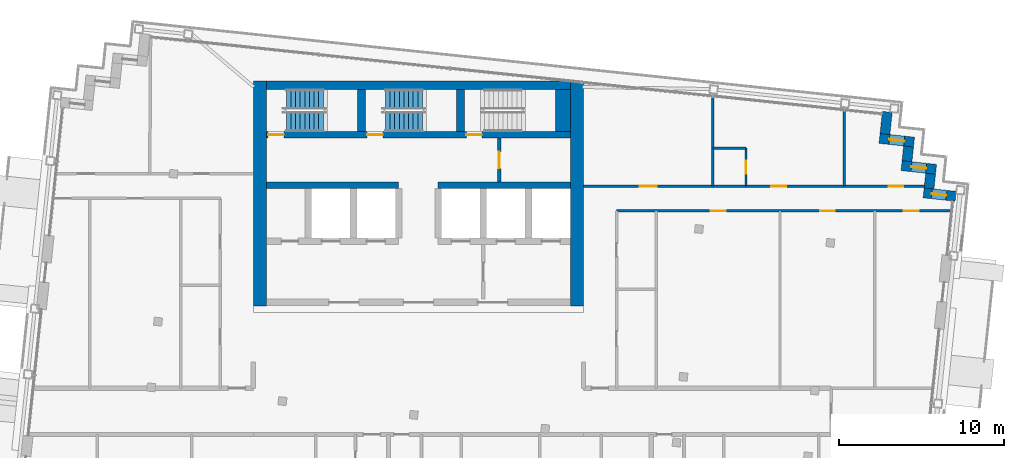
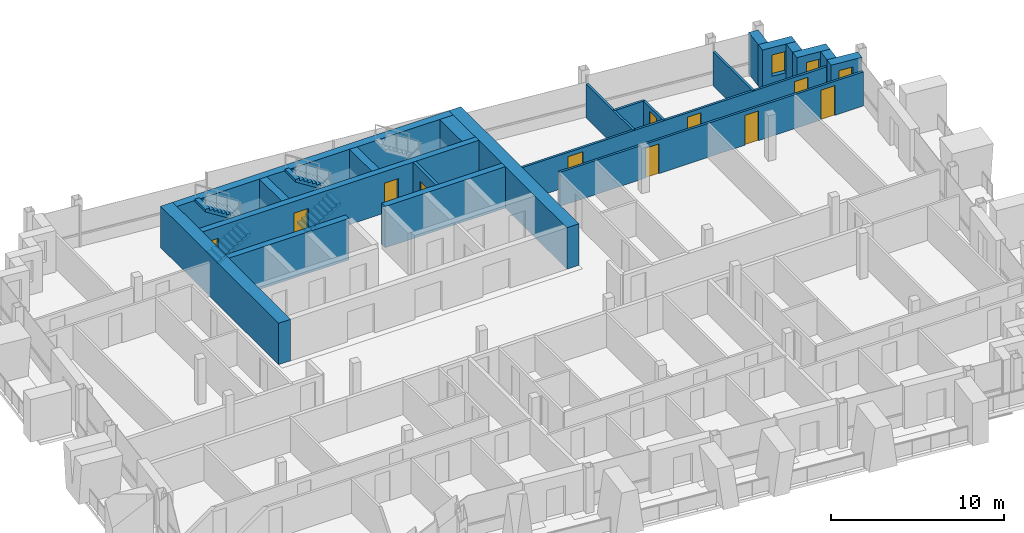
# One storey, part 12 of 17: 22 walls, 11 doors, 4 stair flights, 3 windows, 14 openings, 2 elements without a shape of their own.
"""IFC4 building model written with IfcOpenShell, lengths in metres."""

from ifc_helpers import new_model, si_unit, direction, frame, frame_2d, origin, place, context, subcontext, project, spatial, polyline, rectangle, outline, extrude, material, layer, layer_set, type_object, element, fill, aggregate, save


model = new_model("IFC4")

# Units and contexts
model_context = context("Model", 3, precision=1e-05, world=origin(), true_north=direction((0.0, 1.0)))
body_context = subcontext(model_context, "Body", "Model", "MODEL_VIEW")
ifc_project = project(units=[si_unit("LENGTHUNIT", "METRE"), si_unit("AREAUNIT", "SQUARE_METRE"), si_unit("VOLUMEUNIT", "CUBIC_METRE"), si_unit("PLANEANGLEUNIT", "RADIAN"), si_unit("MASSUNIT", "GRAM", prefix="KILO")], contexts=[model_context])

# Site, building, storey
site_placement = place(None, origin())
site = spatial("IfcSite", under=ifc_project, at=site_placement, CompositionType="ELEMENT")
building_placement = place(site_placement, origin())
building = spatial("IfcBuilding", under=site, at=building_placement, Name="Vidyagriha Tower", CompositionType="ELEMENT")
storey_placement = place(building_placement, frame((0.0, 0.0, 265.89990234375)))
storey = spatial("IfcBuildingStorey", under=building, at=storey_placement, Name="L69", CompositionType="ELEMENT", Elevation=265.89990234375)

# Wall, opening, window
ifc_material_1 = material(Name="Precast concrete C40/50 with brick facing", Category="concrete")
ifc_layer_1 = layer(ifc_material_1, 0.60009765625)
ifc_layer_set_1 = layer_set([ifc_layer_1], Name="Precast concrete C40/50 with brick facing")
wall_type_1 = type_object("IfcWallType", Name="Brick-faced precast wall 600", PredefinedType="STANDARD", material=ifc_layer_set_1)
wall_1_placement = place(storey_placement, frame((32.536376953125, 13.03125, 0.0), z_axis=(0.0, 0.0, 1.0), x_axis=(-0.994534226826, 0.104411070641, 0.0)))
wall_1 = element("IfcWall", 1, at=wall_1_placement, inside=storey, type_object=wall_type_1, Name="Stepped corner wall L69 R01", PredefinedType="STANDARD", context=body_context, shape_type="SweptSolid", body=[
    extrude(rectangle(XDim=1.9501953125, YDim=0.60009765625, at=frame_2d((0.97509765625, 0.0))), origin(), (0.0, 0.0, 1.0), 2.920166015625),
])
opening_1_placement = place(wall_1_placement, frame((0.559814453125, 0.0, 0.89990234375)))
opening_1 = element("IfcOpeningElement", 2, at=opening_1_placement, cuts=wall_1, Name="Opening WN1", PredefinedType="OPENING", context=body_context, shape_type="SweptSolid", body=[
    extrude(rectangle(XDim=0.89990234375, YDim=1.5, at=frame_2d((0.449951171875, 0.75))), frame((0.0, 0.31005859375, 0.0), z_axis=(0.0, -1.0, 0.0), x_axis=(1.0, 0.0, 0.0)), (0.0, 0.0, 1.0), 0.6201171875),
])
ifc_material_2 = material(Name="Aluminium and glass window", Category="aluminium")
window_type = type_object("IfcWindowType", Name="Reveal window 900x1500", PartitioningType="NOTDEFINED", PredefinedType="WINDOW", material=ifc_material_2)
window_1_placement = place(opening_1_placement, origin())
window_1 = element("IfcWindow", 3, at=window_1_placement, inside=storey, type_object=window_type, Name="Reveal window L69 R01", OverallHeight=1.5, OverallWidth=0.89990234375, PartitioningType="SINGLE_PANEL", PredefinedType="WINDOW", context=body_context, shape_type="SweptSolid", body=[
    extrude(rectangle(XDim=0.89990234375, YDim=1.5, at=frame_2d((0.449951171875, 0.75))), frame((0.0, 0.030029296875, 0.0), z_axis=(0.0, -1.0, 0.0), x_axis=(1.0, 0.0, 0.0)), (0.0, 0.0, 1.0), 0.06005859375),
])
fill(opening_1, window_1)

# Wall
wall_2_placement = place(storey_placement, frame((30.9267578125, 13.501953125, 0.0), z_axis=(0.0, 0.0, 1.0), x_axis=(0.104416541099, 0.994533652495, 0.0)))
element("IfcWall", 4, at=wall_2_placement, inside=storey, type_object=wall_type_1, Name="Stepped corner wall L69 R02", PredefinedType="STANDARD", context=body_context, shape_type="SweptSolid", body=[
    extrude(rectangle(XDim=0.900146484375, YDim=0.60009765625, at=frame_2d((0.4501953125, 0.0))), origin(), (0.0, 0.0, 1.0), 2.920166015625),
])

# Wall, opening, window
wall_3_placement = place(storey_placement, frame((31.3505859375, 14.6640625, 0.0), z_axis=(0.0, 0.0, 1.0), x_axis=(-0.994523910136, 0.104509292252, 0.0)))
wall_3 = element("IfcWall", 5, at=wall_3_placement, inside=storey, type_object=wall_type_1, Name="Stepped corner wall L69 R03", PredefinedType="STANDARD", context=body_context, shape_type="SweptSolid", body=[
    extrude(rectangle(XDim=2.10009765625, YDim=0.60009765625, at=frame_2d((1.050048828125, 0.0))), origin(), (0.0, 0.0, 1.0), 2.920166015625),
])
opening_2_placement = place(wall_3_placement, frame((0.60009765625, 0.0, 0.89990234375)))
opening_2 = element("IfcOpeningElement", 6, at=opening_2_placement, cuts=wall_3, Name="Opening WN1", PredefinedType="OPENING", context=body_context, shape_type="SweptSolid", body=[
    extrude(rectangle(XDim=0.89990234375, YDim=1.5, at=frame_2d((0.449951171875, 0.75))), frame((0.0, 0.31005859375, 0.0), z_axis=(0.0, -1.0, 0.0), x_axis=(1.0, 0.0, 0.0)), (0.0, 0.0, 1.0), 0.6201171875),
])
window_2_placement = place(opening_2_placement, origin())
window_2 = element("IfcWindow", 7, at=window_2_placement, inside=storey, type_object=window_type, Name="Reveal window L69 R03", OverallHeight=1.5, OverallWidth=0.89990234375, PartitioningType="SINGLE_PANEL", PredefinedType="WINDOW", context=body_context, shape_type="SweptSolid", body=[
    extrude(rectangle(XDim=0.89990234375, YDim=1.5, at=frame_2d((0.449951171875, 0.75))), frame((0.0, 0.030029296875, 0.0), z_axis=(0.0, -1.0, 0.0), x_axis=(1.0, 0.0, 0.0)), (0.0, 0.0, 1.0), 0.06005859375),
])
fill(opening_2, window_2)

# Wall
wall_4_placement = place(storey_placement, frame((29.591796875, 15.150634765625, 0.0), z_axis=(0.0, 0.0, 1.0), x_axis=(0.104444712852, 0.994530694326, 0.0)))
element("IfcWall", 8, at=wall_4_placement, inside=storey, type_object=wall_type_1, Name="Stepped corner wall L69 R04", PredefinedType="STANDARD", context=body_context, shape_type="SweptSolid", body=[
    extrude(rectangle(XDim=0.89990234375, YDim=0.60009765625, at=frame_2d((0.449951171875, 0.0))), origin(), (0.0, 0.0, 1.0), 2.920166015625),
])

# Wall, opening, window
wall_5_placement = place(storey_placement, frame((30.015380859375, 16.3125, 0.0), z_axis=(0.0, 0.0, 1.0), x_axis=(-0.994510548187, 0.104636368175, 0.0)))
wall_5 = element("IfcWall", 9, at=wall_5_placement, inside=storey, type_object=wall_type_1, Name="Stepped corner wall L69 R05", PredefinedType="STANDARD", context=body_context, shape_type="SweptSolid", body=[
    extrude(rectangle(XDim=2.099853515625, YDim=0.60009765625, at=frame_2d((1.0498046875, 0.0))), origin(), (0.0, 0.0, 1.0), 2.920166015625),
])
opening_3_placement = place(wall_5_placement, frame((0.60009765625, 0.0, 0.89990234375)))
opening_3 = element("IfcOpeningElement", 10, at=opening_3_placement, cuts=wall_5, Name="Opening WN1", PredefinedType="OPENING", context=body_context, shape_type="SweptSolid", body=[
    extrude(rectangle(XDim=0.89990234375, YDim=1.5, at=frame_2d((0.449951171875, 0.75))), frame((0.0, 0.31005859375, 0.0), z_axis=(0.0, -1.0, 0.0), x_axis=(1.0, 0.0, 0.0)), (0.0, 0.0, 1.0), 0.6201171875),
])
window_3_placement = place(opening_3_placement, origin())
window_3 = element("IfcWindow", 11, at=window_3_placement, inside=storey, type_object=window_type, Name="Reveal window L69 R05", OverallHeight=1.5, OverallWidth=0.89990234375, PartitioningType="SINGLE_PANEL", PredefinedType="WINDOW", context=body_context, shape_type="SweptSolid", body=[
    extrude(rectangle(XDim=0.89990234375, YDim=1.5, at=frame_2d((0.449951171875, 0.75))), frame((0.0, 0.030029296875, 0.0), z_axis=(0.0, -1.0, 0.0), x_axis=(1.0, 0.0, 0.0)), (0.0, 0.0, 1.0), 0.06005859375),
])
fill(opening_3, window_3)

# Walls
wall_6_placement = place(storey_placement, frame((28.256591796875, 16.79931640625, 0.0), z_axis=(0.0, 0.0, 1.0), x_axis=(0.104534153452, 0.994521297289, 0.0)))
element("IfcWall", 12, at=wall_6_placement, inside=storey, type_object=wall_type_1, Name="Stepped corner wall L69 R06", PredefinedType="STANDARD", context=body_context, shape_type="SweptSolid", body=[
    extrude(rectangle(XDim=1.349853515625, YDim=0.60009765625, at=frame_2d((0.6748046875, 0.0))), origin(), (0.0, 0.0, 1.0), 2.920166015625),
])
ifc_material_3 = material(Name="Concrete C60/75", Category="concrete")
ifc_layer_2 = layer(ifc_material_3, 0.39990234375)
ifc_layer_set_2 = layer_set([ifc_layer_2], Name="Concrete C60/75")
wall_type_2 = type_object("IfcWallType", Name="Core shear wall 400 mm", PredefinedType="SHEAR", material=ifc_layer_set_2)
for number, where, name in (
    (13, (-9.199951171875, 13.699951171875, 0.0), "Core row N rear wall"),
    (14, (1.199951171875, 13.699951171875, 0.0), "Core row N rear wall"),
):
    element("IfcWall", number, at=place(storey_placement, frame(where)), inside=storey, type_object=wall_type_2, Name=name, PredefinedType="SHEAR", context=body_context, shape_type="SweptSolid", body=[
        extrude(rectangle(XDim=8.0, YDim=0.39990234375, at=frame_2d((4.0, 0.0))), origin(), (0.0, 0.0, 1.0), 2.920166015625),
    ])

# Wall, openings, doors
wall_7_placement = place(storey_placement, frame((-9.199951171875, 16.75, 0.0)))
wall_7 = element("IfcWall", 15, at=wall_7_placement, inside=storey, type_object=wall_type_2, Name="Stair front wall", PredefinedType="SHEAR", context=body_context, shape_type="SweptSolid", body=[
    extrude(rectangle(XDim=18.39990234375, YDim=0.39990234375, at=frame_2d((9.199951171875, 0.0))), origin(), (0.0, 0.0, 1.0), 2.920166015625),
])
opening_4_placement = place(wall_7_placement, frame((0.10009765625, 0.0, 0.0)))
opening_4 = element("IfcOpeningElement", 16, at=opening_4_placement, cuts=wall_7, Name="Opening D69-06", PredefinedType="OPENING", context=body_context, shape_type="SweptSolid", body=[
    extrude(rectangle(XDim=0.949951171875, YDim=2.10009765625, at=frame_2d((0.47509765625, 1.050048828125))), frame((0.0, 0.2099609375, 0.0), z_axis=(0.0, -1.0, 0.0), x_axis=(1.0, 0.0, 0.0)), (0.0, 0.0, 1.0), 0.419921875),
])
opening_5_placement = place(wall_7_placement, frame((6.10009765625, 0.0, 0.0)))
opening_5 = element("IfcOpeningElement", 17, at=opening_5_placement, cuts=wall_7, Name="Opening D69-07", PredefinedType="OPENING", context=body_context, shape_type="SweptSolid", body=[
    extrude(rectangle(XDim=0.949951171875, YDim=2.10009765625, at=frame_2d((0.47509765625, 1.050048828125))), frame((0.0, 0.2099609375, 0.0), z_axis=(0.0, -1.0, 0.0), x_axis=(1.0, 0.0, 0.0)), (0.0, 0.0, 1.0), 0.419921875),
])
opening_6_placement = place(wall_7_placement, frame((12.10009765625, 0.0, 0.0)))
opening_6 = element("IfcOpeningElement", 18, at=opening_6_placement, cuts=wall_7, Name="Opening D69-08", PredefinedType="OPENING", context=body_context, shape_type="SweptSolid", body=[
    extrude(rectangle(XDim=0.949951171875, YDim=2.10009765625, at=frame_2d((0.47509765625, 1.050048828125))), frame((0.0, 0.2099609375, 0.0), z_axis=(0.0, -1.0, 0.0), x_axis=(1.0, 0.0, 0.0)), (0.0, 0.0, 1.0), 0.419921875),
])
ifc_material_4 = material(Name="Hollow metal door leaf")
door_type_1 = type_object("IfcDoorType", Name="Exit stair door 950 x 2100 mm EI 90", OperationType="NOTDEFINED", PredefinedType="DOOR", material=ifc_material_4)
door_1_placement = place(opening_4_placement, origin())
door_1 = element("IfcDoor", 19, at=door_1_placement, inside=storey, type_object=door_type_1, Name="Stair door ST1 L69", OperationType="SINGLE_SWING_LEFT", OverallHeight=2.10009765625, OverallWidth=0.949951171875, PredefinedType="DOOR", context=body_context, shape_type="SweptSolid", body=[
    extrude(rectangle(XDim=0.949951171875, YDim=2.10009765625, at=frame_2d((0.47509765625, 1.050048828125))), frame((0.0, 0.02490234375, 0.0), z_axis=(0.0, -1.0, 0.0), x_axis=(1.0, 0.0, 0.0)), (0.0, 0.0, 1.0), 0.050048828125),
])
fill(opening_4, door_1)
door_2_placement = place(opening_5_placement, origin())
door_2 = element("IfcDoor", 20, at=door_2_placement, inside=storey, type_object=door_type_1, Name="Stair door ST2 L69", OperationType="SINGLE_SWING_LEFT", OverallHeight=2.10009765625, OverallWidth=0.949951171875, PredefinedType="DOOR", context=body_context, shape_type="SweptSolid", body=[
    extrude(rectangle(XDim=0.949951171875, YDim=2.10009765625, at=frame_2d((0.47509765625, 1.050048828125))), frame((0.0, 0.02490234375, 0.0), z_axis=(0.0, -1.0, 0.0), x_axis=(1.0, 0.0, 0.0)), (0.0, 0.0, 1.0), 0.050048828125),
])
fill(opening_5, door_2)
door_3_placement = place(opening_6_placement, origin())
door_3 = element("IfcDoor", 21, at=door_3_placement, inside=storey, type_object=door_type_1, Name="Stair door ST3 L69", OperationType="SINGLE_SWING_LEFT", OverallHeight=2.10009765625, OverallWidth=0.949951171875, PredefinedType="DOOR", context=body_context, shape_type="SweptSolid", body=[
    extrude(rectangle(XDim=0.949951171875, YDim=2.10009765625, at=frame_2d((0.47509765625, 1.050048828125))), frame((0.0, 0.02490234375, 0.0), z_axis=(0.0, -1.0, 0.0), x_axis=(1.0, 0.0, 0.0)), (0.0, 0.0, 1.0), 0.050048828125),
])
fill(opening_6, door_3)

# Walls
ifc_material_5 = material(Name="Concrete C60/75", Category="concrete")
ifc_layer_3 = layer(ifc_material_5, 0.5)
ifc_layer_set_3 = layer_set([ifc_layer_3], Name="Concrete C60/75")
wall_type_3 = type_object("IfcWallType", Name="Core shear wall 500 mm", PredefinedType="SHEAR", material=ifc_layer_set_3)
wall_8_placement = place(storey_placement, frame((-9.199951171875, 19.75, 0.0)))
element("IfcWall", 22, at=wall_8_placement, inside=storey, type_object=wall_type_3, Name="Core north wall", PredefinedType="SHEAR", context=body_context, shape_type="SweptSolid", body=[
    extrude(rectangle(XDim=18.39990234375, YDim=0.5, at=frame_2d((9.199951171875, 0.0))), origin(), (0.0, 0.0, 1.0), 2.920166015625),
])
for number, where, z_axis, x_axis, name in (
    (23, (-3.449951171875, 16.949951171875, 0.0), (0.0, 0.0, 1.0), (0.0, 1.0, 0.0), "Stair partition wall 1"),
    (24, (2.550048828125, 16.949951171875, 0.0), (0.0, 0.0, 1.0), (0.0, 1.0, 0.0), "Stair partition wall 2"),
):
    element("IfcWall", number, at=place(storey_placement, frame(where, z_axis=z_axis, x_axis=x_axis)), inside=storey, type_object=wall_type_3, Name=name, PredefinedType="SHEAR", context=body_context, shape_type="SweptSolid", body=[
        extrude(rectangle(XDim=2.550048828125, YDim=0.5, at=frame_2d((1.27490234375, 0.0))), origin(), (0.0, 0.0, 1.0), 2.920166015625),
    ])
ifc_material_6 = material(Name="Concrete C60/75", Category="concrete")
ifc_layer_4 = layer(ifc_material_6, 0.800048828125)
ifc_layer_set_4 = layer_set([ifc_layer_4], Name="Concrete C60/75")
wall_type_4 = type_object("IfcWallType", Name="Core shear wall 800 mm", PredefinedType="SHEAR", material=ifc_layer_set_4)
for number, where, z_axis, x_axis, name in (
    (25, (-9.60009765625, 6.39990234375, 0.0), (0.0, 0.0, 1.0), (0.0, 1.0, 0.0), "Core west wall"),
    (26, (9.60009765625, 6.39990234375, 0.0), (0.0, 0.0, 1.0), (0.0, 1.0, 0.0), "Core east wall"),
):
    element("IfcWall", number, at=place(storey_placement, frame(where, z_axis=z_axis, x_axis=x_axis)), inside=storey, type_object=wall_type_4, Name=name, PredefinedType="SHEAR", context=body_context, shape_type="SweptSolid", body=[
        extrude(rectangle(XDim=13.60009765625, YDim=0.800048828125, at=frame_2d((6.800048828125, 0.0))), origin(), (0.0, 0.0, 1.0), 2.920166015625),
    ])
ifc_material_7 = material(Name="Concrete C60/75", Category="concrete")
ifc_layer_5 = layer(ifc_material_7, 0.89990234375)
ifc_layer_set_5 = layer_set([ifc_layer_5], Name="Concrete C60/75")
wall_type_5 = type_object("IfcWallType", Name="Core shear wall 900 mm", PredefinedType="SHEAR", material=ifc_layer_set_5)
wall_9_placement = place(storey_placement, frame((8.75, 16.949951171875, 0.0), z_axis=(0.0, 0.0, 1.0), x_axis=(0.0, 1.0, 0.0)))
element("IfcWall", 27, at=wall_9_placement, inside=storey, type_object=wall_type_5, Name="Stair end wall", PredefinedType="SHEAR", context=body_context, shape_type="SweptSolid", body=[
    extrude(rectangle(XDim=2.550048828125, YDim=0.89990234375, at=frame_2d((1.27490234375, 0.0))), origin(), (0.0, 0.0, 1.0), 2.920166015625),
])

# Wall, openings, doors
ifc_material_8 = material(Name="Gypsum board partition")
ifc_layer_6 = layer(ifc_material_8, 0.14990234375)
ifc_layer_set_6 = layer_set([ifc_layer_6], Name="Gypsum board partition")
wall_type_6 = type_object("IfcWallType", Name="Gypsum board partition 150", PredefinedType="PARTITIONING", material=ifc_layer_set_6)
wall_10_placement = place(storey_placement, frame((32.212646484375, 12.143310546875, 0.0), z_axis=(0.0, 0.0, 1.0), x_axis=(-1.0, 0.0, 0.0)))
wall_10 = element("IfcWall", 28, at=wall_10_placement, inside=storey, type_object=wall_type_6, Name="Wall all-L69-w086", PredefinedType="PARTITIONING", context=body_context, shape_type="SweptSolid", body=[
    extrude(rectangle(XDim=20.212646484375, YDim=0.14990234375, at=frame_2d((10.1064453125, 0.0))), origin(), (0.0, 0.0, 1.0), 2.400146484375),
])
opening_7_placement = place(wall_10_placement, frame((13.61279296875, 0.0, 0.0)))
opening_7 = element("IfcOpeningElement", 29, at=opening_7_placement, cuts=wall_10, Name="Opening D69-48", PredefinedType="OPENING", context=body_context, shape_type="SweptSolid", body=[
    extrude(rectangle(XDim=0.89990234375, YDim=2.10009765625, at=frame_2d((0.449951171875, 1.050048828125))), frame((0.0, 0.0849609375, 0.0), z_axis=(0.0, -1.0, 0.0), x_axis=(1.0, 0.0, 0.0)), (0.0, 0.0, 1.0), 0.169921875),
])
opening_8_placement = place(wall_10_placement, frame((6.98779296875, 0.0, 0.0)))
opening_8 = element("IfcOpeningElement", 30, at=opening_8_placement, cuts=wall_10, Name="Opening D69-49", PredefinedType="OPENING", context=body_context, shape_type="SweptSolid", body=[
    extrude(rectangle(XDim=0.89990234375, YDim=2.10009765625, at=frame_2d((0.449951171875, 1.050048828125))), frame((0.0, 0.0849609375, 0.0), z_axis=(0.0, -1.0, 0.0), x_axis=(1.0, 0.0, 0.0)), (0.0, 0.0, 1.0), 0.169921875),
])
opening_9_placement = place(wall_10_placement, frame((1.9091796875, 0.0, 0.0)))
opening_9 = element("IfcOpeningElement", 31, at=opening_9_placement, cuts=wall_10, Name="Opening D69-50", PredefinedType="OPENING", context=body_context, shape_type="SweptSolid", body=[
    extrude(rectangle(XDim=0.89990234375, YDim=2.10009765625, at=frame_2d((0.449951171875, 1.050048828125))), frame((0.0, 0.0849609375, 0.0), z_axis=(0.0, -1.0, 0.0), x_axis=(1.0, 0.0, 0.0)), (0.0, 0.0, 1.0), 0.169921875),
])
ifc_material_9 = material(Name="Timber door leaf", Category="wood")
door_type_2 = type_object("IfcDoorType", Name="Room door 900x2100", OperationType="NOTDEFINED", PredefinedType="DOOR", material=ifc_material_9)
door_4_placement = place(opening_7_placement, origin())
door_4 = element("IfcDoor", 32, at=door_4_placement, inside=storey, type_object=door_type_2, Name="Door D69-48", OperationType="SINGLE_SWING_RIGHT", OverallHeight=2.10009765625, OverallWidth=0.89990234375, PredefinedType="DOOR", context=body_context, shape_type="SweptSolid", body=[
    extrude(rectangle(XDim=0.89990234375, YDim=2.10009765625, at=frame_2d((0.449951171875, 1.050048828125))), frame((0.0, 0.02490234375, 0.0), z_axis=(0.0, -1.0, 0.0), x_axis=(1.0, 0.0, 0.0)), (0.0, 0.0, 1.0), 0.050048828125),
])
fill(opening_7, door_4)
door_5_placement = place(opening_8_placement, origin())
door_5 = element("IfcDoor", 33, at=door_5_placement, inside=storey, type_object=door_type_2, Name="Door D69-49", OperationType="SINGLE_SWING_RIGHT", OverallHeight=2.10009765625, OverallWidth=0.89990234375, PredefinedType="DOOR", context=body_context, shape_type="SweptSolid", body=[
    extrude(rectangle(XDim=0.89990234375, YDim=2.10009765625, at=frame_2d((0.449951171875, 1.050048828125))), frame((0.0, 0.02490234375, 0.0), z_axis=(0.0, -1.0, 0.0), x_axis=(1.0, 0.0, 0.0)), (0.0, 0.0, 1.0), 0.050048828125),
])
fill(opening_8, door_5)
door_6_placement = place(opening_9_placement, origin())
door_6 = element("IfcDoor", 34, at=door_6_placement, inside=storey, type_object=door_type_2, Name="Door D69-50", OperationType="SINGLE_SWING_LEFT", OverallHeight=2.10009765625, OverallWidth=0.89990234375, PredefinedType="DOOR", context=body_context, shape_type="SweptSolid", body=[
    extrude(rectangle(XDim=0.89990234375, YDim=2.10009765625, at=frame_2d((0.449951171875, 1.050048828125))), frame((0.0, 0.02490234375, 0.0), z_axis=(0.0, -1.0, 0.0), x_axis=(1.0, 0.0, 0.0)), (0.0, 0.0, 1.0), 0.050048828125),
])
fill(opening_9, door_6)

wall_11_placement = place(storey_placement, frame((10.0, 13.643310546875, 0.0)))
wall_11 = element("IfcWall", 35, at=wall_11_placement, inside=storey, type_object=wall_type_6, Name="Wall all-L69-w090", PredefinedType="PARTITIONING", context=body_context, shape_type="SweptSolid", body=[
    extrude(rectangle(XDim=20.640869140625, YDim=0.14990234375, at=frame_2d((10.3203125, 0.0))), origin(), (0.0, 0.0, 1.0), 2.400146484375),
])
opening_10_placement = place(wall_11_placement, frame((3.420166015625, 0.0, 0.0)))
opening_10 = element("IfcOpeningElement", 36, at=opening_10_placement, cuts=wall_11, Name="Opening D69-51", PredefinedType="OPENING", context=body_context, shape_type="SweptSolid", body=[
    extrude(rectangle(XDim=1.0, YDim=2.10009765625, at=frame_2d((0.5, 1.050048828125))), frame((0.0, 0.0849609375, 0.0), z_axis=(0.0, -1.0, 0.0), x_axis=(1.0, 0.0, 0.0)), (0.0, 0.0, 1.0), 0.169921875),
])
opening_11_placement = place(wall_11_placement, frame((11.368408203125, 0.0, 0.0)))
opening_11 = element("IfcOpeningElement", 37, at=opening_11_placement, cuts=wall_11, Name="Opening D69-52", PredefinedType="OPENING", context=body_context, shape_type="SweptSolid", body=[
    extrude(rectangle(XDim=0.89990234375, YDim=2.10009765625, at=frame_2d((0.449951171875, 1.050048828125))), frame((0.0, 0.0849609375, 0.0), z_axis=(0.0, -1.0, 0.0), x_axis=(1.0, 0.0, 0.0)), (0.0, 0.0, 1.0), 0.169921875),
])
opening_12_placement = place(wall_11_placement, frame((18.476806640625, 0.0, 0.0)))
opening_12 = element("IfcOpeningElement", 38, at=opening_12_placement, cuts=wall_11, Name="Opening D69-53", PredefinedType="OPENING", context=body_context, shape_type="SweptSolid", body=[
    extrude(rectangle(XDim=0.89990234375, YDim=2.10009765625, at=frame_2d((0.449951171875, 1.050048828125))), frame((0.0, 0.0849609375, 0.0), z_axis=(0.0, -1.0, 0.0), x_axis=(1.0, 0.0, 0.0)), (0.0, 0.0, 1.0), 0.169921875),
])
ifc_material_10 = material(Name="Timber door leaf", Category="wood")
door_type_3 = type_object("IfcDoorType", Name="Room door 1000x2100", OperationType="NOTDEFINED", PredefinedType="DOOR", material=ifc_material_10)
door_7_placement = place(opening_10_placement, origin())
door_7 = element("IfcDoor", 39, at=door_7_placement, inside=storey, type_object=door_type_3, Name="Door D69-51", OperationType="SINGLE_SWING_RIGHT", OverallHeight=2.10009765625, OverallWidth=1.0, PredefinedType="DOOR", context=body_context, shape_type="SweptSolid", body=[
    extrude(rectangle(XDim=1.0, YDim=2.10009765625, at=frame_2d((0.5, 1.050048828125))), frame((0.0, 0.02490234375, 0.0), z_axis=(0.0, -1.0, 0.0), x_axis=(1.0, 0.0, 0.0)), (0.0, 0.0, 1.0), 0.050048828125),
])
fill(opening_10, door_7)
door_8_placement = place(opening_11_placement, origin())
door_8 = element("IfcDoor", 40, at=door_8_placement, inside=storey, type_object=door_type_2, Name="Door D69-52", OperationType="SINGLE_SWING_RIGHT", OverallHeight=2.10009765625, OverallWidth=0.89990234375, PredefinedType="DOOR", context=body_context, shape_type="SweptSolid", body=[
    extrude(rectangle(XDim=0.89990234375, YDim=2.10009765625, at=frame_2d((0.449951171875, 1.050048828125))), frame((0.0, 0.02490234375, 0.0), z_axis=(0.0, -1.0, 0.0), x_axis=(1.0, 0.0, 0.0)), (0.0, 0.0, 1.0), 0.050048828125),
])
fill(opening_11, door_8)
door_9_placement = place(opening_12_placement, origin())
door_9 = element("IfcDoor", 41, at=door_9_placement, inside=storey, type_object=door_type_2, Name="Door D69-53", OperationType="SINGLE_SWING_RIGHT", OverallHeight=2.10009765625, OverallWidth=0.89990234375, PredefinedType="DOOR", context=body_context, shape_type="SweptSolid", body=[
    extrude(rectangle(XDim=0.89990234375, YDim=2.10009765625, at=frame_2d((0.449951171875, 1.050048828125))), frame((0.0, 0.02490234375, 0.0), z_axis=(0.0, -1.0, 0.0), x_axis=(1.0, 0.0, 0.0)), (0.0, 0.0, 1.0), 0.050048828125),
])
fill(opening_12, door_9)

# Walls
wall_12_placement = place(storey_placement, frame((17.840087890625, 19.02099609375, 0.0), z_axis=(0.0, 0.0, 1.0), x_axis=(0.0, -1.0, 0.0)))
element("IfcWall", 42, at=wall_12_placement, inside=storey, type_object=wall_type_6, Name="Wall all-L69-w094", PredefinedType="PARTITIONING", context=body_context, shape_type="SweptSolid", body=[
    extrude(rectangle(XDim=5.377685546875, YDim=0.14990234375, at=frame_2d((2.68896484375, 0.0))), origin(), (0.0, 0.0, 1.0), 2.400146484375),
])
wall_13_placement = place(storey_placement, frame((25.79638671875, 18.184814453125, 0.0), z_axis=(0.0, 0.0, 1.0), x_axis=(0.0, -1.0, 0.0)))
element("IfcWall", 43, at=wall_13_placement, inside=storey, type_object=wall_type_6, Name="Wall all-L69-w095", PredefinedType="PARTITIONING", context=body_context, shape_type="SweptSolid", body=[
    extrude(rectangle(XDim=4.54150390625, YDim=0.14990234375, at=frame_2d((2.270751953125, 0.0))), origin(), (0.0, 0.0, 1.0), 2.400146484375),
])

# Wall, opening, door
wall_14_placement = place(storey_placement, frame((19.840087890625, 15.943359375, 0.0), z_axis=(0.0, 0.0, 1.0), x_axis=(0.0, -1.0, 0.0)))
wall_14 = element("IfcWall", 44, at=wall_14_placement, inside=storey, type_object=wall_type_6, Name="Wall all-L69-w096", PredefinedType="PARTITIONING", context=body_context, shape_type="SweptSolid", body=[
    extrude(rectangle(XDim=2.300048828125, YDim=0.14990234375, at=frame_2d((1.14990234375, 0.0))), origin(), (0.0, 0.0, 1.0), 2.400146484375),
])
opening_13_placement = place(wall_14_placement, frame((0.75, 0.0, 0.0)))
opening_13 = element("IfcOpeningElement", 45, at=opening_13_placement, cuts=wall_14, Name="Opening D69-54", PredefinedType="OPENING", context=body_context, shape_type="SweptSolid", body=[
    extrude(rectangle(XDim=0.800048828125, YDim=2.10009765625, at=frame_2d((0.39990234375, 1.050048828125))), frame((0.0, 0.0849609375, 0.0), z_axis=(0.0, -1.0, 0.0), x_axis=(1.0, 0.0, 0.0)), (0.0, 0.0, 1.0), 0.169921875),
])
ifc_material_11 = material(Name="Timber door leaf", Category="wood")
door_type_4 = type_object("IfcDoorType", Name="Bathroom door 800x2100", OperationType="NOTDEFINED", PredefinedType="DOOR", material=ifc_material_11)
door_10_placement = place(opening_13_placement, origin())
door_10 = element("IfcDoor", 46, at=door_10_placement, inside=storey, type_object=door_type_4, Name="Door D69-54", OperationType="SINGLE_SWING_RIGHT", OverallHeight=2.10009765625, OverallWidth=0.800048828125, PredefinedType="DOOR", context=body_context, shape_type="SweptSolid", body=[
    extrude(rectangle(XDim=0.800048828125, YDim=2.10009765625, at=frame_2d((0.39990234375, 1.050048828125))), frame((0.0, 0.02490234375, 0.0), z_axis=(0.0, -1.0, 0.0), x_axis=(1.0, 0.0, 0.0)), (0.0, 0.0, 1.0), 0.050048828125),
])
fill(opening_13, door_10)

# Wall
wall_15_placement = place(storey_placement, frame((17.840087890625, 15.943359375, 0.0)))
element("IfcWall", 47, at=wall_15_placement, inside=storey, type_object=wall_type_6, Name="Wall all-L69-w097", PredefinedType="PARTITIONING", context=body_context, shape_type="SweptSolid", body=[
    extrude(rectangle(XDim=2.0, YDim=0.14990234375, at=frame_2d((1.0, 0.0))), origin(), (0.0, 0.0, 1.0), 2.400146484375),
])

# Wall, opening, door
ifc_material_12 = material(Name="Blockwork 15 MPa", Category="masonry")
ifc_layer_7 = layer(ifc_material_12, 0.199951171875)
ifc_layer_set_7 = layer_set([ifc_layer_7], Name="Blockwork 15 MPa")
wall_type_7 = type_object("IfcWallType", Name="Service room partition 200 mm", PredefinedType="PARTITIONING", material=ifc_layer_set_7)
wall_16_placement = place(storey_placement, frame((4.89990234375, 13.89990234375, 0.0), z_axis=(0.0, 0.0, 1.0), x_axis=(0.0, 1.0, 0.0)))
wall_16 = element("IfcWall", 48, at=wall_16_placement, inside=storey, type_object=wall_type_7, Name="Core room partition E", PredefinedType="PARTITIONING", context=body_context, shape_type="SweptSolid", body=[
    extrude(rectangle(XDim=2.650146484375, YDim=0.199951171875, at=frame_2d((1.3251953125, 0.0))), origin(), (0.0, 0.0, 1.0), 2.920166015625),
])
opening_14_placement = place(wall_16_placement, frame((0.824951171875, 0.0, 0.0)))
opening_14 = element("IfcOpeningElement", 49, at=opening_14_placement, cuts=wall_16, Name="Opening D69-09", PredefinedType="OPENING", context=body_context, shape_type="SweptSolid", body=[
    extrude(rectangle(XDim=1.0, YDim=2.10009765625, at=frame_2d((0.5, 1.050048828125))), frame((0.0, 0.10986328125, 0.0), z_axis=(0.0, -1.0, 0.0), x_axis=(1.0, 0.0, 0.0)), (0.0, 0.0, 1.0), 0.219970703125),
])
ifc_material_13 = material(Name="Hollow metal door leaf")
door_type_5 = type_object("IfcDoorType", Name="Core room door 1000 x 2100 mm EI 60", OperationType="NOTDEFINED", PredefinedType="DOOR", material=ifc_material_13)
door_11_placement = place(opening_14_placement, origin())
door_11 = element("IfcDoor", 50, at=door_11_placement, inside=storey, type_object=door_type_5, Name="Door Storage Room 69.T1", OperationType="SINGLE_SWING_LEFT", OverallHeight=2.10009765625, OverallWidth=1.0, PredefinedType="DOOR", context=body_context, shape_type="SweptSolid", body=[
    extrude(rectangle(XDim=1.0, YDim=2.10009765625, at=frame_2d((0.5, 1.050048828125))), frame((0.0, 0.02490234375, 0.0), z_axis=(0.0, -1.0, 0.0), x_axis=(1.0, 0.0, 0.0)), (0.0, 0.0, 1.0), 0.050048828125),
])
fill(opening_14, door_11)

# Stair, stair flights
ifc_material_14 = material(Name="Concrete C40/50", Category="concrete")
stair_type = type_object("IfcStairType", Name="Exit stair, half-turn, precast flights", PredefinedType="HALF_TURN_STAIR", material=ifc_material_14)
stair_1_placement = place(storey_placement, origin())
stair_1 = element("IfcStair", 51, at=stair_1_placement, inside=storey, type_object=stair_type, Name="L69 Exit Stair ST1", PredefinedType="HALF_TURN_STAIR")
ifc_material_15 = material(Name="Precast concrete C40/50", Category="concrete")
stair_flight_type = type_object("IfcStairFlightType", Name="Exit stair flight 1200 mm, precast", PredefinedType="STRAIGHT", material=ifc_material_15)
stair_flight_1_placement = place(storey_placement, frame((-8.0, 17.550048828125, 0.0)))
stair_flight_1 = element("IfcStairFlight", 52, at=stair_flight_1_placement, type_object=stair_flight_type, Name="ST1 flight 1", NumberOfRisers=9, NumberOfTreads=8, PredefinedType="STRAIGHT", RiserHeight=0.177777778, TreadLength=0.28, context=body_context, shape_type="SweptSolid", body=[
    extrude(outline(polyline([(0.0, 0.0), (0.0, 0.177734375), (0.280029296875, 0.177734375), (0.280029296875, 0.35546875), (0.56005859375, 0.35546875), (0.56005859375, 0.533447265625), (0.840087890625, 0.533447265625), (0.840087890625, 0.711181640625), (1.1201171875, 0.711181640625), (1.1201171875, 0.888916015625), (1.39990234375, 0.888916015625), (1.39990234375, 1.066650390625), (1.679931640625, 1.066650390625), (1.679931640625, 1.244384765625), (1.9599609375, 1.244384765625), (1.9599609375, 1.422119140625), (2.239990234375, 1.422119140625), (2.239990234375, 1.60009765625), (2.239990234375, 1.24462890625), (0.27978515625, 0.0), (0.0, 0.0)])), frame((0.0, 0.60009765625, 0.0), z_axis=(0.0, -1.0, 0.0), x_axis=(1.0, 0.0, 0.0)), (0.0, 0.0, 1.0), 1.199951171875),
])
stair_flight_2_placement = place(storey_placement, frame((-5.760009765625, 18.89990234375, 1.60009765625), z_axis=(0.0, 0.0, 1.0), x_axis=(-1.0, 0.0, 0.0)))
stair_flight_2 = element("IfcStairFlight", 53, at=stair_flight_2_placement, type_object=stair_flight_type, Name="ST1 flight 2", NumberOfRisers=9, NumberOfTreads=8, PredefinedType="STRAIGHT", RiserHeight=0.177777778, TreadLength=0.28, context=body_context, shape_type="SweptSolid", body=[
    extrude(outline(polyline([(0.0, 0.0), (0.0, 0.177734375), (0.280029296875, 0.177734375), (0.280029296875, 0.35546875), (0.56005859375, 0.35546875), (0.56005859375, 0.533447265625), (0.840087890625, 0.533447265625), (0.840087890625, 0.711181640625), (1.1201171875, 0.711181640625), (1.1201171875, 0.888916015625), (1.39990234375, 0.888916015625), (1.39990234375, 1.066650390625), (1.679931640625, 1.066650390625), (1.679931640625, 1.244384765625), (1.9599609375, 1.244384765625), (1.9599609375, 1.422119140625), (2.239990234375, 1.422119140625), (2.239990234375, 1.60009765625), (2.239990234375, 1.24462890625), (0.27978515625, 0.0), (0.0, 0.0)])), frame((0.0, 0.60009765625, 0.0), z_axis=(0.0, -1.0, 0.0), x_axis=(1.0, 0.0, 0.0)), (0.0, 0.0, 1.0), 1.199951171875),
])
aggregate(stair_1, [stair_flight_1, stair_flight_2])

stair_2_placement = place(storey_placement, origin())
stair_2 = element("IfcStair", 54, at=stair_2_placement, inside=storey, type_object=stair_type, Name="L69 Exit Stair ST2", PredefinedType="HALF_TURN_STAIR")
stair_flight_3_placement = place(storey_placement, frame((-2.0, 17.550048828125, 0.0)))
stair_flight_3 = element("IfcStairFlight", 55, at=stair_flight_3_placement, type_object=stair_flight_type, Name="ST2 flight 1", NumberOfRisers=9, NumberOfTreads=8, PredefinedType="STRAIGHT", RiserHeight=0.177777778, TreadLength=0.28, context=body_context, shape_type="SweptSolid", body=[
    extrude(outline(polyline([(0.0, 0.0), (0.0, 0.177734375), (0.280029296875, 0.177734375), (0.280029296875, 0.35546875), (0.56005859375, 0.35546875), (0.56005859375, 0.533447265625), (0.840087890625, 0.533447265625), (0.840087890625, 0.711181640625), (1.1201171875, 0.711181640625), (1.1201171875, 0.888916015625), (1.39990234375, 0.888916015625), (1.39990234375, 1.066650390625), (1.679931640625, 1.066650390625), (1.679931640625, 1.244384765625), (1.9599609375, 1.244384765625), (1.9599609375, 1.422119140625), (2.239990234375, 1.422119140625), (2.239990234375, 1.60009765625), (2.239990234375, 1.24462890625), (0.27978515625, 0.0), (0.0, 0.0)])), frame((0.0, 0.60009765625, 0.0), z_axis=(0.0, -1.0, 0.0), x_axis=(1.0, 0.0, 0.0)), (0.0, 0.0, 1.0), 1.199951171875),
])
stair_flight_4_placement = place(storey_placement, frame((0.239990234375, 18.89990234375, 1.60009765625), z_axis=(0.0, 0.0, 1.0), x_axis=(-1.0, 0.0, 0.0)))
stair_flight_4 = element("IfcStairFlight", 56, at=stair_flight_4_placement, type_object=stair_flight_type, Name="ST2 flight 2", NumberOfRisers=9, NumberOfTreads=8, PredefinedType="STRAIGHT", RiserHeight=0.177777778, TreadLength=0.28, context=body_context, shape_type="SweptSolid", body=[
    extrude(outline(polyline([(0.0, 0.0), (0.0, 0.177734375), (0.280029296875, 0.177734375), (0.280029296875, 0.35546875), (0.56005859375, 0.35546875), (0.56005859375, 0.533447265625), (0.840087890625, 0.533447265625), (0.840087890625, 0.711181640625), (1.1201171875, 0.711181640625), (1.1201171875, 0.888916015625), (1.39990234375, 0.888916015625), (1.39990234375, 1.066650390625), (1.679931640625, 1.066650390625), (1.679931640625, 1.244384765625), (1.9599609375, 1.244384765625), (1.9599609375, 1.422119140625), (2.239990234375, 1.422119140625), (2.239990234375, 1.60009765625), (2.239990234375, 1.24462890625), (0.27978515625, 0.0), (0.0, 0.0)])), frame((0.0, 0.60009765625, 0.0), z_axis=(0.0, -1.0, 0.0), x_axis=(1.0, 0.0, 0.0)), (0.0, 0.0, 1.0), 1.199951171875),
])
aggregate(stair_2, [stair_flight_3, stair_flight_4])

save(model, "model.ifc")
